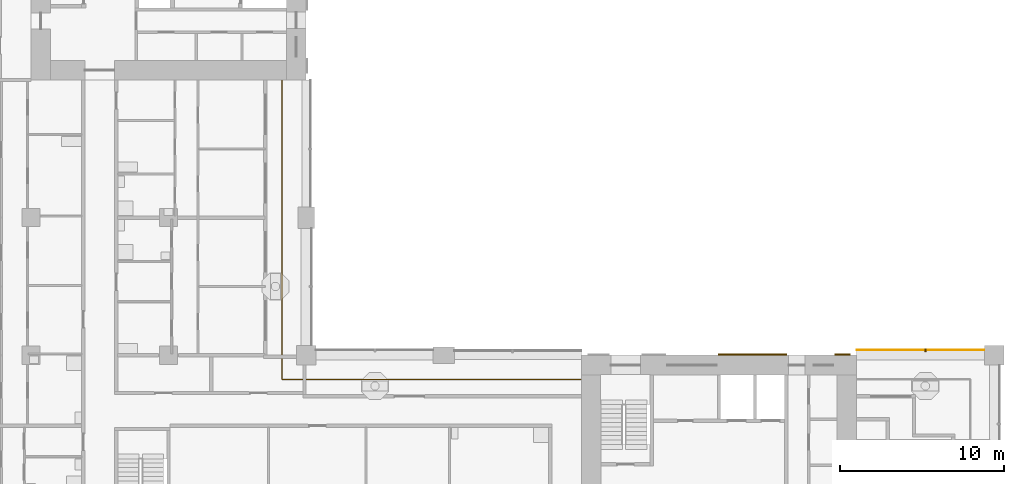
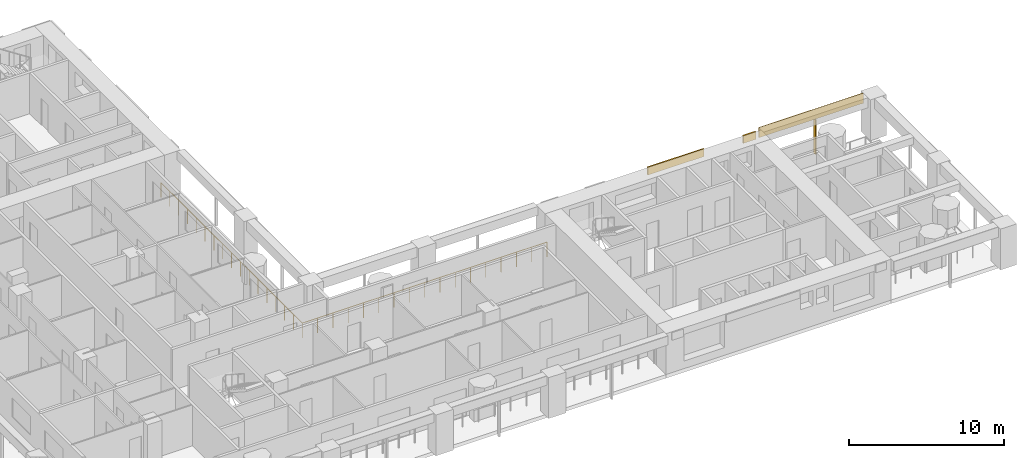
# One storey, part 13 of 18: 4 shading devices, 1 railing.
"""IFC4 building model written with IfcOpenShell, lengths in metres."""

from ifc_helpers import new_model, si_unit, direction, frame, origin, origin_2d, place, context, subcontext, project, spatial, rectangle, circle, extrude, material, layer, layer_set, material_profile, profile_set, type_object, element, save


model = new_model("IFC4")

# Units and contexts
model_context = context("Model", 3, precision=1e-05, world=origin(), true_north=direction((0.0, 1.0)))
body_context = subcontext(model_context, "Body", "Model", "MODEL_VIEW")
ifc_project = project(units=[si_unit("LENGTHUNIT", "METRE"), si_unit("AREAUNIT", "SQUARE_METRE"), si_unit("VOLUMEUNIT", "CUBIC_METRE"), si_unit("PLANEANGLEUNIT", "RADIAN"), si_unit("MASSUNIT", "GRAM", prefix="KILO")], contexts=[model_context])

# Site, building, storey
site_placement = place(None, origin())
site = spatial("IfcSite", under=ifc_project, at=site_placement, CompositionType="ELEMENT")
building_placement = place(site_placement, origin())
building = spatial("IfcBuilding", under=site, at=building_placement, Name="Vermilion Gate Residences", CompositionType="ELEMENT")
storey_placement = place(building_placement, frame((0.0, 0.0, 81.199951171875)))
storey = spatial("IfcBuildingStorey", under=building, at=storey_placement, Name="L19", CompositionType="ELEMENT", Elevation=81.199951171875)

# Railing
ifc_material_1 = material(Name="Stainless steel and toughened glass", Category="steel")
railing_type = type_object("IfcRailingType", Name="LOGGIA GUARD STEEL AND GLASS 1200", PredefinedType="GUARDRAIL", material=ifc_material_1)
railing_placement = place(storey_placement, frame((41.97802734375, 23.72509765625, 0.0)))
element("IfcRailing", 1, at=railing_placement, inside=storey, type_object=railing_type, Name="Loggia guard", PredefinedType="GUARDRAIL", context=body_context, shape_type="SweptSolid", body=[
    extrude(circle(Radius=0.030029296875, at=origin_2d()), frame((0.0, 0.0, 1.169921875), z_axis=(-1.0, 0.0, 0.0), x_axis=(0.0, -1.0, 0.0)), (0.0, 0.0, 1.0), 18.2529296875),
    extrude(circle(Radius=0.030029296875, at=origin_2d()), frame((-18.2529296875, 0.0, 1.169921875), z_axis=(0.0, 1.0, 0.0), x_axis=(-1.0, 0.0, 0.0)), (0.0, 0.0, 1.0), 18.2529296875),
    extrude(circle(Radius=0.02490234375, at=origin_2d()), origin(), (0.0, 0.0, 1.0), 1.139892578125),
    extrude(circle(Radius=0.02490234375, at=origin_2d()), frame((-1.140869140625, 0.0, 0.0)), (0.0, 0.0, 1.0), 1.139892578125),
    extrude(circle(Radius=0.02490234375, at=origin_2d()), frame((-2.28173828125, 0.0, 0.0)), (0.0, 0.0, 1.0), 1.139892578125),
    extrude(circle(Radius=0.02490234375, at=origin_2d()), frame((-3.42236328125, 0.0, 0.0)), (0.0, 0.0, 1.0), 1.139892578125),
    extrude(circle(Radius=0.02490234375, at=origin_2d()), frame((-4.563232421875, 0.0, 0.0)), (0.0, 0.0, 1.0), 1.139892578125),
    extrude(circle(Radius=0.02490234375, at=origin_2d()), frame((-5.7041015625, 0.0, 0.0)), (0.0, 0.0, 1.0), 1.139892578125),
    extrude(circle(Radius=0.02490234375, at=origin_2d()), frame((-6.8447265625, 0.0, 0.0)), (0.0, 0.0, 1.0), 1.139892578125),
    extrude(circle(Radius=0.02490234375, at=origin_2d()), frame((-7.985595703125, 0.0, 0.0)), (0.0, 0.0, 1.0), 1.139892578125),
    extrude(circle(Radius=0.02490234375, at=origin_2d()), frame((-9.12646484375, 0.0, 0.0)), (0.0, 0.0, 1.0), 1.139892578125),
    extrude(circle(Radius=0.02490234375, at=origin_2d()), frame((-10.267333984375, 0.0, 0.0)), (0.0, 0.0, 1.0), 1.139892578125),
    extrude(circle(Radius=0.02490234375, at=origin_2d()), frame((-11.408203125, 0.0, 0.0)), (0.0, 0.0, 1.0), 1.139892578125),
    extrude(circle(Radius=0.02490234375, at=origin_2d()), frame((-12.548828125, 0.0, 0.0)), (0.0, 0.0, 1.0), 1.139892578125),
    extrude(circle(Radius=0.02490234375, at=origin_2d()), frame((-13.689697265625, 0.0, 0.0)), (0.0, 0.0, 1.0), 1.139892578125),
    extrude(circle(Radius=0.02490234375, at=origin_2d()), frame((-14.83056640625, 0.0, 0.0)), (0.0, 0.0, 1.0), 1.139892578125),
    extrude(circle(Radius=0.02490234375, at=origin_2d()), frame((-15.97119140625, 0.0, 0.0)), (0.0, 0.0, 1.0), 1.139892578125),
    extrude(circle(Radius=0.02490234375, at=origin_2d()), frame((-17.112060546875, 0.0, 0.0)), (0.0, 0.0, 1.0), 1.139892578125),
    extrude(circle(Radius=0.02490234375, at=origin_2d()), frame((-18.2529296875, 0.0, 0.0)), (0.0, 0.0, 1.0), 1.139892578125),
    extrude(circle(Radius=0.02490234375, at=origin_2d()), frame((-18.2529296875, 1.140869140625, 0.0)), (0.0, 0.0, 1.0), 1.139892578125),
    extrude(circle(Radius=0.02490234375, at=origin_2d()), frame((-18.2529296875, 2.28173828125, 0.0)), (0.0, 0.0, 1.0), 1.139892578125),
    extrude(circle(Radius=0.02490234375, at=origin_2d()), frame((-18.2529296875, 3.42236328125, 0.0)), (0.0, 0.0, 1.0), 1.139892578125),
    extrude(circle(Radius=0.02490234375, at=origin_2d()), frame((-18.2529296875, 4.563232421875, 0.0)), (0.0, 0.0, 1.0), 1.139892578125),
    extrude(circle(Radius=0.02490234375, at=origin_2d()), frame((-18.2529296875, 5.7041015625, 0.0)), (0.0, 0.0, 1.0), 1.139892578125),
    extrude(circle(Radius=0.02490234375, at=origin_2d()), frame((-18.2529296875, 6.8447265625, 0.0)), (0.0, 0.0, 1.0), 1.139892578125),
    extrude(circle(Radius=0.02490234375, at=origin_2d()), frame((-18.2529296875, 7.985595703125, 0.0)), (0.0, 0.0, 1.0), 1.139892578125),
    extrude(circle(Radius=0.02490234375, at=origin_2d()), frame((-18.2529296875, 9.12646484375, 0.0)), (0.0, 0.0, 1.0), 1.139892578125),
    extrude(circle(Radius=0.02490234375, at=origin_2d()), frame((-18.2529296875, 10.267333984375, 0.0)), (0.0, 0.0, 1.0), 1.139892578125),
    extrude(circle(Radius=0.02490234375, at=origin_2d()), frame((-18.2529296875, 11.408203125, 0.0)), (0.0, 0.0, 1.0), 1.139892578125),
    extrude(circle(Radius=0.02490234375, at=origin_2d()), frame((-18.2529296875, 12.548828125, 0.0)), (0.0, 0.0, 1.0), 1.139892578125),
    extrude(circle(Radius=0.02490234375, at=origin_2d()), frame((-18.2529296875, 13.689697265625, 0.0)), (0.0, 0.0, 1.0), 1.139892578125),
    extrude(circle(Radius=0.02490234375, at=origin_2d()), frame((-18.2529296875, 14.83056640625, 0.0)), (0.0, 0.0, 1.0), 1.139892578125),
    extrude(circle(Radius=0.02490234375, at=origin_2d()), frame((-18.2529296875, 15.97119140625, 0.0)), (0.0, 0.0, 1.0), 1.139892578125),
    extrude(circle(Radius=0.02490234375, at=origin_2d()), frame((-18.2529296875, 17.112060546875, 0.0)), (0.0, 0.0, 1.0), 1.139892578125),
    extrude(circle(Radius=0.02490234375, at=origin_2d()), frame((-18.2529296875, 18.2529296875, 0.0)), (0.0, 0.0, 1.0), 1.139892578125),
])

# Shading devices
ifc_material_2 = material(Name="Perforated terracotta", Category="masonry")
ifc_layer_1 = layer(ifc_material_2, 0.0400390625)
ifc_layer_set_1 = layer_set([ifc_layer_1], Name="PERFORATED TERRACOTTA SCREEN 40")
shading_device_type_1 = type_object("IfcShadingDeviceType", Name="PERFORATED TERRACOTTA SCREEN 40", PredefinedType="SHUTTER", material=ifc_layer_set_1)
shading_device_1_placement = place(storey_placement, frame((62.699951171875, 25.52001953125, 2.419921875), z_axis=(0.0, 0.0, 1.0), x_axis=(-1.0, 0.0, 0.0)))
element("IfcShadingDevice", 2, at=shading_device_1_placement, inside=storey, type_object=shading_device_type_1, Name="SCREEN", PredefinedType="SHUTTER", context=body_context, shape_type="SweptSolid", body=[
    extrude(rectangle(XDim=7.800048828125, YDim=0.0400390625, at=origin_2d()), origin(), (0.0, 0.0, 1.0), 0.800048828125),
])
ifc_material_3 = material(Name="Extruded terracotta", Category="masonry")
ifc_material_profile = material_profile(ifc_material_3, rectangle(XDim=0.199951171875, YDim=0.10009765625, at=origin_2d()), Name="BAGUETTE 100 X 200")
ifc_profile_set = profile_set([ifc_material_profile], Name="Extruded terracotta")
shading_device_type_2 = type_object("IfcShadingDeviceType", Name="TERRACOTTA BAGUETTE 100 X 200", PredefinedType="JALOUSIE", material=ifc_profile_set)
shading_device_2_placement = place(storey_placement, frame((63.0, 25.5, -0.280029296875), z_axis=(0.0, 0.0, 1.0), x_axis=(0.0, -1.0, 0.0)))
element("IfcShadingDevice", 3, at=shading_device_2_placement, inside=storey, type_object=shading_device_type_2, Name="BAGUETTE", PredefinedType="JALOUSIE", context=body_context, shape_type="SweptSolid", body=[
    extrude(rectangle(XDim=0.199951171875, YDim=0.10009765625, at=origin_2d()), origin(), (0.0, 0.0, 1.0), 2.7001953125),
])
ifc_material_4 = material(Name="Extruded terracotta", Category="masonry")
ifc_layer_2 = layer(ifc_material_4, 0.10009765625)
ifc_layer_set_2 = layer_set([ifc_layer_2], Name="TERRACOTTA SPANDREL BAND 600 X 100")
shading_device_type_3 = type_object("IfcShadingDeviceType", Name="TERRACOTTA SPANDREL BAND 600 X 100", PredefinedType="USERDEFINED", material=ifc_layer_set_2)
shading_device_3_placement = place(storey_placement, frame((52.449951171875, 25.25, 2.6201171875), z_axis=(0.0, 0.0, 1.0), x_axis=(1.0, 0.0, 0.0)))
element("IfcShadingDevice", 4, at=shading_device_3_placement, inside=storey, type_object=shading_device_type_3, Name="SPANDREL BAND", ObjectType="BAND", PredefinedType="USERDEFINED", context=body_context, shape_type="SweptSolid", body=[
    extrude(rectangle(XDim=4.199951171875, YDim=0.10009765625, at=origin_2d()), origin(), (0.0, 0.0, 1.0), 0.60009765625),
])
shading_device_4_placement = place(storey_placement, frame((57.9375, 25.25, 2.6201171875), z_axis=(0.0, 0.0, 1.0), x_axis=(1.0, 0.0, 0.0)))
element("IfcShadingDevice", 5, at=shading_device_4_placement, inside=storey, type_object=shading_device_type_3, Name="SPANDREL BAND", ObjectType="BAND", PredefinedType="USERDEFINED", context=body_context, shape_type="SweptSolid", body=[
    extrude(rectangle(XDim=0.925048828125, YDim=0.10009765625, at=origin_2d()), origin(), (0.0, 0.0, 1.0), 0.60009765625),
])

save(model, "model.ifc")
